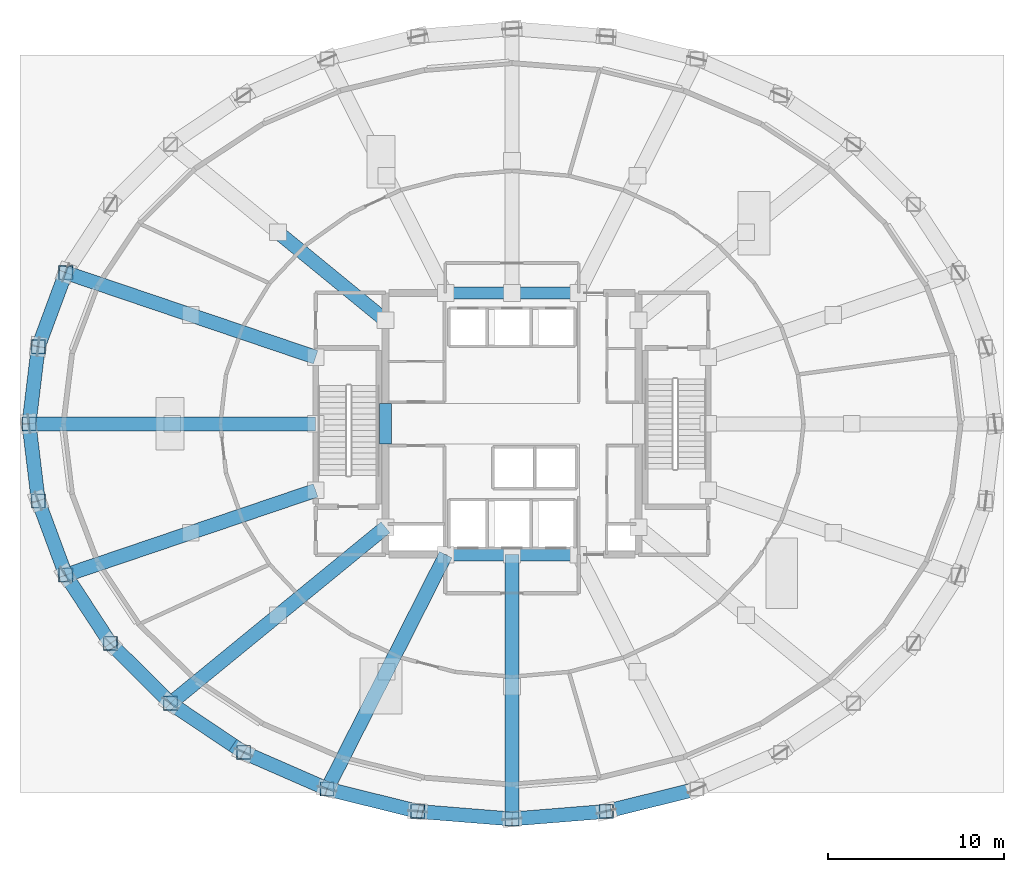
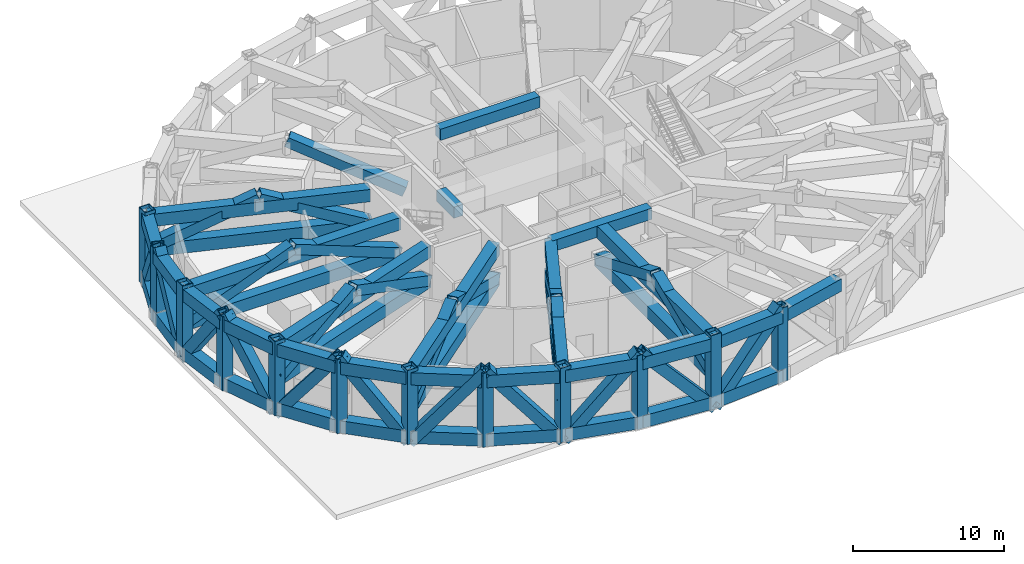
# One storey, part 1 of 12: 38 beams, 36 members.
"""IFC4 building model written with IfcOpenShell, lengths in metres."""

from ifc_helpers import new_model, si_unit, direction, frame, origin, origin_2d, place, context, subcontext, project, spatial, rectangle, hollow_rectangle, extrude, material, material_profile, profile_set, type_object, element, save


model = new_model("IFC4")

# Units and contexts
model_context = context("Model", 3, precision=1e-05, world=origin(), true_north=direction((0.0, 1.0)))
body_context = subcontext(model_context, "Body", "Model", "MODEL_VIEW")
ifc_project = project(units=[si_unit("LENGTHUNIT", "METRE"), si_unit("AREAUNIT", "SQUARE_METRE"), si_unit("VOLUMEUNIT", "CUBIC_METRE"), si_unit("PLANEANGLEUNIT", "RADIAN"), si_unit("MASSUNIT", "GRAM", prefix="KILO")], contexts=[model_context])

# Site, building, storey
site_placement = place(None, origin())
site = spatial("IfcSite", under=ifc_project, at=site_placement, CompositionType="ELEMENT")
building_placement = place(site_placement, origin())
building = spatial("IfcBuilding", under=site, at=building_placement, Name="Veldorina Hangang Commons", CompositionType="ELEMENT")
storey_placement = place(building_placement, frame((0.0, 0.0, 24.39990234375)))
storey = spatial("IfcBuildingStorey", under=building, at=storey_placement, Name="L05", CompositionType="ELEMENT", Elevation=24.39990234375)

# Beams
ifc_material_1 = material(Name="Concrete C70/85", Category="concrete")
ifc_material_profile_1 = material_profile(ifc_material_1, rectangle(XDim=0.699951171875, YDim=0.89990234375, at=origin_2d()), Name="RC-CB-700x900")
ifc_profile_set_1 = profile_set([ifc_material_profile_1], Name="Concrete C70/85")
beam_type_1 = type_object("IfcBeamType", Name="BM-CB900", PredefinedType="LINTEL", material=ifc_profile_set_1)
beam_1_placement = place(storey_placement, frame((24.800048828125, 22.85009765625, 5.2900390625), z_axis=(0.0, 1.0, 0.0), x_axis=(-1.0, 0.0, 0.0)))
element("IfcBeam", 1, at=beam_1_placement, inside=storey, type_object=beam_type_1, Name="L05 W core coupling lintel beam", PredefinedType="LINTEL", context=body_context, shape_type="SweptSolid", body=[
    extrude(rectangle(XDim=0.699951171875, YDim=0.89990234375, at=origin_2d()), origin(), (0.0, 0.0, 1.0), 2.2998046875),
])
for number, where, z_axis, x_axis, name in (
    (2, (28.199951171875, 16.550048828125, 5.2900390625), (1.0, 0.0, 0.0), (0.0, 1.0, 0.0), "L05 south core coupling beam"),
    (3, (28.199951171875, 31.449951171875, 5.2900390625), (1.0, 0.0, 0.0), (0.0, 1.0, 0.0), "L05 north core coupling beam"),
):
    element("IfcBeam", number, at=place(storey_placement, frame(where, z_axis=z_axis, x_axis=x_axis)), inside=storey, type_object=beam_type_1, Name=name, PredefinedType="LINTEL", context=body_context, shape_type="SweptSolid", body=[
        extrude(rectangle(XDim=0.699951171875, YDim=0.89990234375, at=origin_2d()), origin(), (0.0, 0.0, 1.0), 7.60009765625),
    ])
ifc_material_2 = material(Name="Steel SM490-TMC", Category="steel")
ifc_material_profile_2 = material_profile(ifc_material_2, hollow_rectangle(XDim=0.800048828125, YDim=1.0, WallThickness=0.044921875, at=origin_2d()), Name="BOX-1000x800x45")
ifc_profile_set_2 = profile_set([ifc_material_profile_2], Name="Steel SM490-TMC")
beam_type_2 = type_object("IfcBeamType", Name="BM-TRF1000", PredefinedType="BEAM", material=ifc_profile_set_2)
for number, where, z_axis, x_axis, name in (
    (4, (6.59326171875, 32.6103515625, 5.239990234375), (-0.347632274858, -0.937630951642, 0.0), (0.937630951642, -0.347632274858, 0.0), "L05 transfer truss top chord 14"),
    (5, (6.59326171875, 32.6103515625, 0.5), (-0.347632274858, -0.937630951642, 0.0), (0.937630951642, -0.347632274858, 0.0), "L05 transfer truss bottom chord 14"),
):
    element("IfcBeam", number, at=place(storey_placement, frame(where, z_axis=z_axis, x_axis=x_axis)), inside=storey, type_object=beam_type_2, Name=name, PredefinedType="BEAM", context=body_context, shape_type="SweptSolid", body=[
        extrude(hollow_rectangle(XDim=0.800048828125, YDim=1.0, WallThickness=0.044921875, at=origin_2d()), origin(), (0.0, 0.0, 1.0), 4.501708984375),
    ])
for number, where, z_axis, x_axis, name in (
    (6, (5.0283203125, 28.389404296875, 5.239990234375), (-0.119500148591, -0.992834182775, 0.0), (0.992834182775, -0.119500148591, 0.0), "L05 transfer truss top chord 15"),
    (7, (5.0283203125, 28.389404296875, 0.5), (-0.119500148591, -0.992834182775, 0.0), (0.992834182775, -0.119500148591, 0.0), "L05 transfer truss bottom chord 15"),
    (8, (4.5, 24.0, 5.239990234375), (0.119500148591, -0.992834182775, 0.0), (0.992834182775, 0.119500148591, 0.0), "L05 transfer truss top chord 16"),
    (9, (4.5, 24.0, 0.5), (0.119500148591, -0.992834182775, 0.0), (0.992834182775, 0.119500148591, 0.0), "L05 transfer truss bottom chord 16"),
):
    element("IfcBeam", number, at=place(storey_placement, frame(where, z_axis=z_axis, x_axis=x_axis)), inside=storey, type_object=beam_type_2, Name=name, PredefinedType="BEAM", context=body_context, shape_type="SweptSolid", body=[
        extrude(hollow_rectangle(XDim=0.800048828125, YDim=1.0, WallThickness=0.044921875, at=origin_2d()), origin(), (0.0, 0.0, 1.0), 4.421142578125),
    ])
for number, where, z_axis, x_axis, name in (
    (10, (5.0283203125, 19.610595703125, 5.239990234375), (0.347632274858, -0.937630951642, 0.0), (0.937630951642, 0.347632274858, 0.0), "L05 transfer truss top chord 17"),
    (11, (5.0283203125, 19.610595703125, 0.5), (0.347632274858, -0.937630951642, 0.0), (0.937630951642, 0.347632274858, 0.0), "L05 transfer truss bottom chord 17"),
):
    element("IfcBeam", number, at=place(storey_placement, frame(where, z_axis=z_axis, x_axis=x_axis)), inside=storey, type_object=beam_type_2, Name=name, PredefinedType="BEAM", context=body_context, shape_type="SweptSolid", body=[
        extrude(hollow_rectangle(XDim=0.800048828125, YDim=1.0, WallThickness=0.044921875, at=origin_2d()), origin(), (0.0, 0.0, 1.0), 4.501708984375),
    ])
for number, where, z_axis, x_axis, name in (
    (12, (6.59326171875, 15.3896484375, 5.239990234375), (0.546927961762, -0.837179672856, 0.0), (0.837179672856, 0.546927961762, 0.0), "L05 transfer truss top chord 18"),
    (13, (6.59326171875, 15.3896484375, 0.5), (0.546927961762, -0.837179672856, 0.0), (0.837179672856, 0.546927961762, 0.0), "L05 transfer truss bottom chord 18"),
):
    element("IfcBeam", number, at=place(storey_placement, frame(where, z_axis=z_axis, x_axis=x_axis)), inside=storey, type_object=beam_type_2, Name=name, PredefinedType="BEAM", context=body_context, shape_type="SweptSolid", body=[
        extrude(hollow_rectangle(XDim=0.800048828125, YDim=1.0, WallThickness=0.044921875, at=origin_2d()), origin(), (0.0, 0.0, 1.0), 4.646484375),
    ])
for number, where, z_axis, x_axis, name in (
    (14, (9.134521484375, 11.499755859375, 5.239990234375), (0.708192829004, -0.706019062736, 0.0), (0.706019062736, 0.708192829004, 0.0), "L05 transfer truss top chord 19"),
    (15, (9.134521484375, 11.499755859375, 0.5), (0.708192829004, -0.706019062736, 0.0), (0.706019062736, 0.708192829004, 0.0), "L05 transfer truss bottom chord 19"),
):
    element("IfcBeam", number, at=place(storey_placement, frame(where, z_axis=z_axis, x_axis=x_axis)), inside=storey, type_object=beam_type_2, Name=name, PredefinedType="BEAM", context=body_context, shape_type="SweptSolid", body=[
        extrude(hollow_rectangle(XDim=0.800048828125, YDim=1.0, WallThickness=0.044921875, at=origin_2d()), origin(), (0.0, 0.0, 1.0), 4.829345703125),
    ])
for number, where, z_axis, x_axis, name in (
    (16, (12.5546875, 8.090087890625, 5.239990234375), (0.830197333269, -0.557469629517, 0.0), (0.557469629517, 0.830197333269, 0.0), "L05 transfer truss top chord 20"),
    (17, (12.5546875, 8.090087890625, 0.5), (0.830197333269, -0.557469629517, 0.0), (0.557469629517, 0.830197333269, 0.0), "L05 transfer truss bottom chord 20"),
):
    element("IfcBeam", number, at=place(storey_placement, frame(where, z_axis=z_axis, x_axis=x_axis)), inside=storey, type_object=beam_type_2, Name=name, PredefinedType="BEAM", context=body_context, shape_type="SweptSolid", body=[
        extrude(hollow_rectangle(XDim=0.800048828125, YDim=1.0, WallThickness=0.044921875, at=origin_2d()), origin(), (0.0, 0.0, 1.0), 5.019287109375),
    ])
for number, where, z_axis, x_axis, name in (
    (18, (16.7216796875, 5.2919921875, 5.239990234375), (0.916214551617, -0.400688027529, 0.0), (0.400688027529, 0.916214551617, 0.0), "L05 transfer truss top chord 21"),
    (19, (16.7216796875, 5.2919921875, 0.5), (0.916214551617, -0.400688027529, 0.0), (0.400688027529, 0.916214551617, 0.0), "L05 transfer truss bottom chord 21"),
):
    element("IfcBeam", number, at=place(storey_placement, frame(where, z_axis=z_axis, x_axis=x_axis)), inside=storey, type_object=beam_type_2, Name=name, PredefinedType="BEAM", context=body_context, shape_type="SweptSolid", body=[
        extrude(hollow_rectangle(XDim=0.800048828125, YDim=1.0, WallThickness=0.044921875, at=origin_2d()), origin(), (0.0, 0.0, 1.0), 5.189453125),
    ])
for number, where, z_axis, x_axis, name in (
    (20, (21.476318359375, 3.212646484375, 5.239990234375), (0.970557168318, -0.240870884556, 0.0), (0.240870884556, 0.970557168318, 0.0), "L05 transfer truss top chord 22"),
    (21, (21.476318359375, 3.212646484375, 0.5), (0.970557168318, -0.240870884556, 0.0), (0.240870884556, 0.970557168318, 0.0), "L05 transfer truss bottom chord 22"),
):
    element("IfcBeam", number, at=place(storey_placement, frame(where, z_axis=z_axis, x_axis=x_axis)), inside=storey, type_object=beam_type_2, Name=name, PredefinedType="BEAM", context=body_context, shape_type="SweptSolid", body=[
        extrude(hollow_rectangle(XDim=0.800048828125, YDim=1.0, WallThickness=0.044921875, at=origin_2d()), origin(), (0.0, 0.0, 1.0), 5.315185546875),
    ])
for number, where, z_axis, x_axis, name in (
    (22, (26.635009765625, 1.932373046875, 5.239990234375), (0.996768232769, -0.080331128111, 0.0), (0.080331128111, 0.996768232769, 0.0), "L05 transfer truss top chord 23"),
    (23, (26.635009765625, 1.932373046875, 0.5), (0.996768232769, -0.080331128111, 0.0), (0.080331128111, 0.996768232769, 0.0), "L05 transfer truss bottom chord 23"),
    (24, (32.0, 1.5, 5.239990234375), (0.996768232769, 0.080331128111, 0.0), (-0.080331128111, 0.996768232769, 0.0), "L05 transfer truss top chord 24"),
    (25, (32.0, 1.5, 0.5), (0.996768232769, 0.080331128111, 0.0), (-0.080331128111, 0.996768232769, 0.0), "L05 transfer truss bottom chord 24"),
):
    element("IfcBeam", number, at=place(storey_placement, frame(where, z_axis=z_axis, x_axis=x_axis)), inside=storey, type_object=beam_type_2, Name=name, PredefinedType="BEAM", context=body_context, shape_type="SweptSolid", body=[
        extrude(hollow_rectangle(XDim=0.800048828125, YDim=1.0, WallThickness=0.044921875, at=origin_2d()), origin(), (0.0, 0.0, 1.0), 5.38232421875),
    ])
beam_2_placement = place(storey_placement, frame((37.364990234375, 1.932373046875, 5.239990234375), z_axis=(0.970557168318, 0.240870884556, 0.0), x_axis=(-0.240870884556, 0.970557168318, 0.0)))
element("IfcBeam", 26, at=beam_2_placement, inside=storey, type_object=beam_type_2, Name="L05 transfer truss top chord 25", PredefinedType="BEAM", context=body_context, shape_type="SweptSolid", body=[
    extrude(hollow_rectangle(XDim=0.800048828125, YDim=1.0, WallThickness=0.044921875, at=origin_2d()), origin(), (0.0, 0.0, 1.0), 5.315185546875),
])
for number, where, z_axis, x_axis, name in (
    (27, (20.820068359375, 27.788818359375, 5.239990234375), (-0.947088407114, 0.320972816778, 0.0), (-0.320972816778, -0.947088407114, 0.0), "L05 radial transfer top girder 08"),
    (28, (20.820068359375, 27.788818359375, 2.800048828125), (-0.947088407114, 0.320972816778, 0.0), (-0.320972816778, -0.947088407114, 0.0), "L05 radial transfer bottom girder 08"),
):
    element("IfcBeam", number, at=place(storey_placement, frame(where, z_axis=z_axis, x_axis=x_axis)), inside=storey, type_object=beam_type_2, Name=name, PredefinedType="BEAM", context=body_context, shape_type="SweptSolid", body=[
        extrude(hollow_rectangle(XDim=0.800048828125, YDim=1.0, WallThickness=0.044921875, at=origin_2d()), origin(), (0.0, 0.0, 1.0), 15.021728515625),
    ])
for number, where, z_axis, x_axis, name in (
    (29, (20.820068359375, 24.0, 5.239990234375), (-1.0, 0.0, 0.0), (0.0, -1.0, 0.0), "L05 radial transfer top girder 09"),
    (30, (20.820068359375, 24.0, 2.800048828125), (-1.0, 0.0, 0.0), (0.0, -1.0, 0.0), "L05 radial transfer bottom girder 09"),
):
    element("IfcBeam", number, at=place(storey_placement, frame(where, z_axis=z_axis, x_axis=x_axis)), inside=storey, type_object=beam_type_2, Name=name, PredefinedType="BEAM", context=body_context, shape_type="SweptSolid", body=[
        extrude(hollow_rectangle(XDim=0.800048828125, YDim=1.0, WallThickness=0.044921875, at=origin_2d()), origin(), (0.0, 0.0, 1.0), 16.320068359375),
    ])
for number, where, z_axis, x_axis, name in (
    (31, (20.820068359375, 20.211181640625, 5.239990234375), (-0.947088407114, -0.320972816778, 0.0), (0.320972816778, -0.947088407114, 0.0), "L05 radial transfer top girder 10"),
    (32, (20.820068359375, 20.211181640625, 2.800048828125), (-0.947088407114, -0.320972816778, 0.0), (0.320972816778, -0.947088407114, 0.0), "L05 radial transfer bottom girder 10"),
):
    element("IfcBeam", number, at=place(storey_placement, frame(where, z_axis=z_axis, x_axis=x_axis)), inside=storey, type_object=beam_type_2, Name=name, PredefinedType="BEAM", context=body_context, shape_type="SweptSolid", body=[
        extrude(hollow_rectangle(XDim=0.800048828125, YDim=1.0, WallThickness=0.044921875, at=origin_2d()), origin(), (0.0, 0.0, 1.0), 15.021728515625),
    ])
for number, where, z_axis, x_axis, name in (
    (33, (24.800048828125, 18.109130859375, 5.239990234375), (-0.773953861676, -0.633241991656, 0.0), (0.633241991656, -0.773953861676, 0.0), "L05 radial transfer top girder 11"),
    (34, (24.800048828125, 18.109130859375, 2.800048828125), (-0.773953861676, -0.633241991656, 0.0), (0.633241991656, -0.773953861676, 0.0), "L05 radial transfer bottom girder 11"),
):
    element("IfcBeam", number, at=place(storey_placement, frame(where, z_axis=z_axis, x_axis=x_axis)), inside=storey, type_object=beam_type_2, Name=name, PredefinedType="BEAM", context=body_context, shape_type="SweptSolid", body=[
        extrude(hollow_rectangle(XDim=0.800048828125, YDim=1.0, WallThickness=0.044921875, at=origin_2d()), origin(), (0.0, 0.0, 1.0), 15.82177734375),
    ])
for number, where, z_axis, x_axis, name in (
    (35, (28.228515625, 16.550048828125, 5.239990234375), (-0.451676273597, -0.892181900662, 0.0), (0.892181900662, -0.451676273597, 0.0), "L05 radial transfer top girder 12"),
    (36, (28.228515625, 16.550048828125, 2.800048828125), (-0.451676273597, -0.892181900662, 0.0), (0.892181900662, -0.451676273597, 0.0), "L05 radial transfer bottom girder 12"),
):
    element("IfcBeam", number, at=place(storey_placement, frame(where, z_axis=z_axis, x_axis=x_axis)), inside=storey, type_object=beam_type_2, Name=name, PredefinedType="BEAM", context=body_context, shape_type="SweptSolid", body=[
        extrude(hollow_rectangle(XDim=0.800048828125, YDim=1.0, WallThickness=0.044921875, at=origin_2d()), origin(), (0.0, 0.0, 1.0), 14.94921875),
    ])
for number, where, z_axis, x_axis, name in (
    (37, (32.0, 16.550048828125, 5.239990234375), (0.0, -1.0, 0.0), (1.0, 0.0, 0.0), "L05 radial transfer top girder 13"),
    (38, (32.0, 16.550048828125, 2.800048828125), (0.0, -1.0, 0.0), (1.0, 0.0, 0.0), "L05 radial transfer bottom girder 13"),
):
    element("IfcBeam", number, at=place(storey_placement, frame(where, z_axis=z_axis, x_axis=x_axis)), inside=storey, type_object=beam_type_2, Name=name, PredefinedType="BEAM", context=body_context, shape_type="SweptSolid", body=[
        extrude(hollow_rectangle(XDim=0.800048828125, YDim=1.0, WallThickness=0.044921875, at=origin_2d()), origin(), (0.0, 0.0, 1.0), 15.050048828125),
    ])

# Members
ifc_material_profile_3 = material_profile(ifc_material_2, hollow_rectangle(XDim=0.800048828125, YDim=0.800048828125, WallThickness=0.0400390625, at=origin_2d()), Name="BOX-800x800x40")
ifc_profile_set_3 = profile_set([ifc_material_profile_3], Name="Steel SM490-TMC")
member_type = type_object("IfcMemberType", Name="TR-BOX800", PredefinedType="BRACE", material=ifc_profile_set_3)
member_1_placement = place(storey_placement, frame((6.59326171875, 32.6103515625, 0.0), z_axis=(0.0, 0.0, 1.0), x_axis=(1.0, 0.0, 0.0)))
element("IfcMember", 39, at=member_1_placement, inside=storey, type_object=member_type, Name="L05 transfer truss vertical post 14", PredefinedType="BRACE", context=body_context, shape_type="SweptSolid", body=[
    extrude(hollow_rectangle(XDim=0.800048828125, YDim=0.800048828125, WallThickness=0.0400390625, at=origin_2d()), origin(), (0.0, 0.0, 1.0), 6.0),
])
member_2_placement = place(storey_placement, frame((6.59326171875, 32.6103515625, 0.0), z_axis=(-0.208630227568, -0.56271575732, 0.799890245352), x_axis=(0.937630951642, -0.347632274858, 0.0)))
element("IfcMember", 40, at=member_2_placement, inside=storey, type_object=member_type, Name="L05 transfer perimeter diagonal 14", PredefinedType="BRACE", context=body_context, shape_type="SweptSolid", body=[
    extrude(hollow_rectangle(XDim=0.800048828125, YDim=0.800048828125, WallThickness=0.0400390625, at=origin_2d()), origin(), (0.0, 0.0, 1.0), 7.5009765625),
])
member_3_placement = place(storey_placement, frame((5.0283203125, 28.389404296875, 0.0), z_axis=(0.0, 0.0, 1.0), x_axis=(1.0, 0.0, 0.0)))
element("IfcMember", 41, at=member_3_placement, inside=storey, type_object=member_type, Name="L05 transfer truss vertical post 15", PredefinedType="BRACE", context=body_context, shape_type="SweptSolid", body=[
    extrude(hollow_rectangle(XDim=0.800048828125, YDim=0.800048828125, WallThickness=0.0400390625, at=origin_2d()), origin(), (0.0, 0.0, 1.0), 6.0),
])
member_4_placement = place(storey_placement, frame((5.0283203125, 28.389404296875, 6.0), z_axis=(-0.070887709391, -0.58895107539, -0.805053764325), x_axis=(0.992834182775, -0.119500148591, 0.0)))
element("IfcMember", 42, at=member_4_placement, inside=storey, type_object=member_type, Name="L05 transfer perimeter diagonal 15", PredefinedType="BRACE", context=body_context, shape_type="SweptSolid", body=[
    extrude(hollow_rectangle(XDim=0.800048828125, YDim=0.800048828125, WallThickness=0.0400390625, at=origin_2d()), origin(), (0.0, 0.0, 1.0), 7.452880859375),
])
member_5_placement = place(storey_placement, frame((4.5, 24.0, 0.0), z_axis=(0.0, 0.0, 1.0), x_axis=(1.0, 0.0, 0.0)))
element("IfcMember", 43, at=member_5_placement, inside=storey, type_object=member_type, Name="L05 transfer truss vertical post 16", PredefinedType="BRACE", context=body_context, shape_type="SweptSolid", body=[
    extrude(hollow_rectangle(XDim=0.800048828125, YDim=0.800048828125, WallThickness=0.0400390625, at=origin_2d()), origin(), (0.0, 0.0, 1.0), 6.0),
])
member_6_placement = place(storey_placement, frame((4.5, 24.0, 0.0), z_axis=(0.070887709391, -0.58895107539, 0.805053764325), x_axis=(0.992834182775, 0.119500148591, 0.0)))
element("IfcMember", 44, at=member_6_placement, inside=storey, type_object=member_type, Name="L05 transfer perimeter diagonal 16", PredefinedType="BRACE", context=body_context, shape_type="SweptSolid", body=[
    extrude(hollow_rectangle(XDim=0.800048828125, YDim=0.800048828125, WallThickness=0.0400390625, at=origin_2d()), origin(), (0.0, 0.0, 1.0), 7.452880859375),
])
member_7_placement = place(storey_placement, frame((5.0283203125, 19.610595703125, 0.0), z_axis=(0.0, 0.0, 1.0), x_axis=(1.0, 0.0, 0.0)))
element("IfcMember", 45, at=member_7_placement, inside=storey, type_object=member_type, Name="L05 transfer truss vertical post 17", PredefinedType="BRACE", context=body_context, shape_type="SweptSolid", body=[
    extrude(hollow_rectangle(XDim=0.800048828125, YDim=0.800048828125, WallThickness=0.0400390625, at=origin_2d()), origin(), (0.0, 0.0, 1.0), 6.0),
])
member_8_placement = place(storey_placement, frame((5.0283203125, 19.610595703125, 6.0), z_axis=(0.208630227568, -0.56271575732, -0.799890245352), x_axis=(0.937630951642, 0.347632274858, 0.0)))
element("IfcMember", 46, at=member_8_placement, inside=storey, type_object=member_type, Name="L05 transfer perimeter diagonal 17", PredefinedType="BRACE", context=body_context, shape_type="SweptSolid", body=[
    extrude(hollow_rectangle(XDim=0.800048828125, YDim=0.800048828125, WallThickness=0.0400390625, at=origin_2d()), origin(), (0.0, 0.0, 1.0), 7.5009765625),
])
member_9_placement = place(storey_placement, frame((6.59326171875, 15.3896484375, 0.0), z_axis=(0.0, 0.0, 1.0), x_axis=(1.0, 0.0, 0.0)))
element("IfcMember", 47, at=member_9_placement, inside=storey, type_object=member_type, Name="L05 transfer truss vertical post 18", PredefinedType="BRACE", context=body_context, shape_type="SweptSolid", body=[
    extrude(hollow_rectangle(XDim=0.800048828125, YDim=0.800048828125, WallThickness=0.0400390625, at=origin_2d()), origin(), (0.0, 0.0, 1.0), 6.0),
])
member_10_placement = place(storey_placement, frame((6.59326171875, 15.3896484375, 0.0), z_axis=(0.334871579761, -0.512586115893, 0.790643091959), x_axis=(0.837179672856, 0.546927961762, 0.0)))
element("IfcMember", 48, at=member_10_placement, inside=storey, type_object=member_type, Name="L05 transfer perimeter diagonal 18", PredefinedType="BRACE", context=body_context, shape_type="SweptSolid", body=[
    extrude(hollow_rectangle(XDim=0.800048828125, YDim=0.800048828125, WallThickness=0.0400390625, at=origin_2d()), origin(), (0.0, 0.0, 1.0), 7.5888671875),
])
member_11_placement = place(storey_placement, frame((9.134521484375, 11.499755859375, 0.0), z_axis=(0.0, 0.0, 1.0), x_axis=(1.0, 0.0, 0.0)))
element("IfcMember", 49, at=member_11_placement, inside=storey, type_object=member_type, Name="L05 transfer truss vertical post 19", PredefinedType="BRACE", context=body_context, shape_type="SweptSolid", body=[
    extrude(hollow_rectangle(XDim=0.800048828125, YDim=0.800048828125, WallThickness=0.0400390625, at=origin_2d()), origin(), (0.0, 0.0, 1.0), 6.0),
])
member_12_placement = place(storey_placement, frame((9.134521484375, 11.499755859375, 6.0), z_axis=(0.444052455287, -0.442689456102, -0.779001580493), x_axis=(0.706019062736, 0.708192829004, 0.0)))
element("IfcMember", 50, at=member_12_placement, inside=storey, type_object=member_type, Name="L05 transfer perimeter diagonal 19", PredefinedType="BRACE", context=body_context, shape_type="SweptSolid", body=[
    extrude(hollow_rectangle(XDim=0.800048828125, YDim=0.800048828125, WallThickness=0.0400390625, at=origin_2d()), origin(), (0.0, 0.0, 1.0), 7.7021484375),
])
member_13_placement = place(storey_placement, frame((12.5546875, 8.090087890625, 0.0), z_axis=(0.0, 0.0, 1.0), x_axis=(1.0, 0.0, 0.0)))
element("IfcMember", 51, at=member_13_placement, inside=storey, type_object=member_type, Name="L05 transfer truss vertical post 20", PredefinedType="BRACE", context=body_context, shape_type="SweptSolid", body=[
    extrude(hollow_rectangle(XDim=0.800048828125, YDim=0.800048828125, WallThickness=0.0400390625, at=origin_2d()), origin(), (0.0, 0.0, 1.0), 6.0),
])
member_14_placement = place(storey_placement, frame((12.5546875, 8.090087890625, 0.0), z_axis=(0.532685939643, -0.35769355251, 0.767007830599), x_axis=(0.557469629517, 0.830197333269, 0.0)))
element("IfcMember", 52, at=member_14_placement, inside=storey, type_object=member_type, Name="L05 transfer perimeter diagonal 20", PredefinedType="BRACE", context=body_context, shape_type="SweptSolid", body=[
    extrude(hollow_rectangle(XDim=0.800048828125, YDim=0.800048828125, WallThickness=0.0400390625, at=origin_2d()), origin(), (0.0, 0.0, 1.0), 7.822509765625),
])
member_15_placement = place(storey_placement, frame((16.7216796875, 5.2919921875, 0.0), z_axis=(0.0, 0.0, 1.0), x_axis=(1.0, 0.0, 0.0)))
element("IfcMember", 53, at=member_15_placement, inside=storey, type_object=member_type, Name="L05 transfer truss vertical post 21", PredefinedType="BRACE", context=body_context, shape_type="SweptSolid", body=[
    extrude(hollow_rectangle(XDim=0.800048828125, YDim=0.800048828125, WallThickness=0.0400390625, at=origin_2d()), origin(), (0.0, 0.0, 1.0), 6.0),
])
member_16_placement = place(storey_placement, frame((16.7216796875, 5.2919921875, 6.0), z_axis=(0.599359964024, -0.262118039209, -0.756347649594), x_axis=(0.400688027529, 0.916214551617, 0.0)))
element("IfcMember", 54, at=member_16_placement, inside=storey, type_object=member_type, Name="L05 transfer perimeter diagonal 21", PredefinedType="BRACE", context=body_context, shape_type="SweptSolid", body=[
    extrude(hollow_rectangle(XDim=0.800048828125, YDim=0.800048828125, WallThickness=0.0400390625, at=origin_2d()), origin(), (0.0, 0.0, 1.0), 7.932861328125),
])
member_17_placement = place(storey_placement, frame((21.476318359375, 3.212646484375, 0.0), z_axis=(0.0, 0.0, 1.0), x_axis=(1.0, 0.0, 0.0)))
element("IfcMember", 55, at=member_17_placement, inside=storey, type_object=member_type, Name="L05 transfer truss vertical post 22", PredefinedType="BRACE", context=body_context, shape_type="SweptSolid", body=[
    extrude(hollow_rectangle(XDim=0.800048828125, YDim=0.800048828125, WallThickness=0.0400390625, at=origin_2d()), origin(), (0.0, 0.0, 1.0), 6.0),
])
member_18_placement = place(storey_placement, frame((21.476318359375, 3.212646484375, 0.0), z_axis=(0.643574661969, -0.159721037736, 0.748532460603), x_axis=(0.240870884556, 0.970557168318, 0.0)))
element("IfcMember", 56, at=member_18_placement, inside=storey, type_object=member_type, Name="L05 transfer perimeter diagonal 22", PredefinedType="BRACE", context=body_context, shape_type="SweptSolid", body=[
    extrude(hollow_rectangle(XDim=0.800048828125, YDim=0.800048828125, WallThickness=0.0400390625, at=origin_2d()), origin(), (0.0, 0.0, 1.0), 8.015625),
])
member_19_placement = place(storey_placement, frame((26.635009765625, 1.932373046875, 0.0), z_axis=(0.0, 0.0, 1.0), x_axis=(1.0, 0.0, 0.0)))
element("IfcMember", 57, at=member_19_placement, inside=storey, type_object=member_type, Name="L05 transfer truss vertical post 23", PredefinedType="BRACE", context=body_context, shape_type="SweptSolid", body=[
    extrude(hollow_rectangle(XDim=0.800048828125, YDim=0.800048828125, WallThickness=0.0400390625, at=origin_2d()), origin(), (0.0, 0.0, 1.0), 6.0),
])
member_20_placement = place(storey_placement, frame((26.635009765625, 1.932373046875, 6.0), z_axis=(0.665598415745, -0.053641628864, -0.744379825499), x_axis=(0.080331128111, 0.996768232769, 0.0)))
element("IfcMember", 58, at=member_20_placement, inside=storey, type_object=member_type, Name="L05 transfer perimeter diagonal 23", PredefinedType="BRACE", context=body_context, shape_type="SweptSolid", body=[
    extrude(hollow_rectangle(XDim=0.800048828125, YDim=0.800048828125, WallThickness=0.0400390625, at=origin_2d()), origin(), (0.0, 0.0, 1.0), 8.060302734375),
])
member_21_placement = place(storey_placement, frame((32.0, 1.5, 0.0), z_axis=(0.0, 0.0, 1.0), x_axis=(1.0, 0.0, 0.0)))
element("IfcMember", 59, at=member_21_placement, inside=storey, type_object=member_type, Name="L05 transfer truss vertical post 24", PredefinedType="BRACE", context=body_context, shape_type="SweptSolid", body=[
    extrude(hollow_rectangle(XDim=0.800048828125, YDim=0.800048828125, WallThickness=0.0400390625, at=origin_2d()), origin(), (0.0, 0.0, 1.0), 6.0),
])
member_22_placement = place(storey_placement, frame((32.0, 1.5, 0.0), z_axis=(0.665598415745, 0.053641628864, 0.744379825499), x_axis=(-0.080331128111, 0.996768232769, 0.0)))
element("IfcMember", 60, at=member_22_placement, inside=storey, type_object=member_type, Name="L05 transfer perimeter diagonal 24", PredefinedType="BRACE", context=body_context, shape_type="SweptSolid", body=[
    extrude(hollow_rectangle(XDim=0.800048828125, YDim=0.800048828125, WallThickness=0.0400390625, at=origin_2d()), origin(), (0.0, 0.0, 1.0), 8.060302734375),
])
member_23_placement = place(storey_placement, frame((37.364990234375, 1.932373046875, 0.0), z_axis=(0.0, 0.0, 1.0), x_axis=(1.0, 0.0, 0.0)))
element("IfcMember", 61, at=member_23_placement, inside=storey, type_object=member_type, Name="L05 transfer truss vertical post 25", PredefinedType="BRACE", context=body_context, shape_type="SweptSolid", body=[
    extrude(hollow_rectangle(XDim=0.800048828125, YDim=0.800048828125, WallThickness=0.0400390625, at=origin_2d()), origin(), (0.0, 0.0, 1.0), 6.0),
])
member_24_placement = place(storey_placement, frame((24.800048828125, 29.890869140625, 2.85009765625), z_axis=(-0.719057437681, 0.588314508704, 0.36992220826), x_axis=(-0.633234429165, -0.773960049176, 0.0)))
element("IfcMember", 62, at=member_24_placement, inside=storey, type_object=member_type, Name="L05 radial transfer inner web brace 07", PredefinedType="BRACE", context=body_context, shape_type="SweptSolid", body=[
    extrude(hollow_rectangle(XDim=0.800048828125, YDim=0.800048828125, WallThickness=0.0400390625, at=origin_2d()), origin(), (0.0, 0.0, 1.0), 8.51513671875),
])
member_25_placement = place(storey_placement, frame((20.820068359375, 27.788818359375, 2.85009765625), z_axis=(-0.873390710369, 0.296006221124, 0.386741495184), x_axis=(-0.320982454147, -0.947085140909, 0.0)))
element("IfcMember", 63, at=member_25_placement, inside=storey, type_object=member_type, Name="L05 radial transfer inner web brace 08", PredefinedType="BRACE", context=body_context, shape_type="SweptSolid", body=[
    extrude(hollow_rectangle(XDim=0.800048828125, YDim=0.800048828125, WallThickness=0.0400390625, at=origin_2d()), origin(), (0.0, 0.0, 1.0), 8.144775390625),
])
member_26_placement = place(storey_placement, frame((13.70654296875, 30.19970703125, 6.0), z_axis=(-0.873391349829, 0.295986620957, -0.386755052014), x_axis=(-0.320963178978, -0.947091673356, 0.0)))
element("IfcMember", 64, at=member_26_placement, inside=storey, type_object=member_type, Name="L05 radial transfer outer web brace 08", PredefinedType="BRACE", context=body_context, shape_type="SweptSolid", body=[
    extrude(hollow_rectangle(XDim=0.800048828125, YDim=0.800048828125, WallThickness=0.0400390625, at=origin_2d()), origin(), (0.0, 0.0, 1.0), 8.14453125),
])
member_27_placement = place(storey_placement, frame((20.820068359375, 24.0, 2.85009765625), z_axis=(-0.932908982986, 0.0, 0.360112245646), x_axis=(0.0, -1.0, 0.0)))
element("IfcMember", 65, at=member_27_placement, inside=storey, type_object=member_type, Name="L05 radial transfer inner web brace 09", PredefinedType="BRACE", context=body_context, shape_type="SweptSolid", body=[
    extrude(hollow_rectangle(XDim=0.800048828125, YDim=0.800048828125, WallThickness=0.0400390625, at=origin_2d()), origin(), (0.0, 0.0, 1.0), 8.7470703125),
])
member_28_placement = place(storey_placement, frame((12.659912109375, 24.0, 6.0), z_axis=(-0.932905363277, 0.0, -0.360121622745), x_axis=(0.0, -1.0, 0.0)))
element("IfcMember", 66, at=member_28_placement, inside=storey, type_object=member_type, Name="L05 radial transfer outer web brace 09", PredefinedType="BRACE", context=body_context, shape_type="SweptSolid", body=[
    extrude(hollow_rectangle(XDim=0.800048828125, YDim=0.800048828125, WallThickness=0.0400390625, at=origin_2d()), origin(), (0.0, 0.0, 1.0), 8.746826171875),
])
member_29_placement = place(storey_placement, frame((20.820068359375, 20.211181640625, 2.85009765625), z_axis=(-0.873390710369, -0.296006221124, 0.386741495184), x_axis=(0.320982454147, -0.947085140909, 0.0)))
element("IfcMember", 67, at=member_29_placement, inside=storey, type_object=member_type, Name="L05 radial transfer inner web brace 10", PredefinedType="BRACE", context=body_context, shape_type="SweptSolid", body=[
    extrude(hollow_rectangle(XDim=0.800048828125, YDim=0.800048828125, WallThickness=0.0400390625, at=origin_2d()), origin(), (0.0, 0.0, 1.0), 8.144775390625),
])
member_30_placement = place(storey_placement, frame((13.70654296875, 17.80029296875, 6.0), z_axis=(-0.873391349829, -0.295986620957, -0.386755052014), x_axis=(0.320963178978, -0.947091673356, 0.0)))
element("IfcMember", 68, at=member_30_placement, inside=storey, type_object=member_type, Name="L05 radial transfer outer web brace 10", PredefinedType="BRACE", context=body_context, shape_type="SweptSolid", body=[
    extrude(hollow_rectangle(XDim=0.800048828125, YDim=0.800048828125, WallThickness=0.0400390625, at=origin_2d()), origin(), (0.0, 0.0, 1.0), 8.14453125),
])
member_31_placement = place(storey_placement, frame((24.800048828125, 18.109130859375, 2.85009765625), z_axis=(-0.719057437681, -0.588314508704, 0.36992220826), x_axis=(0.633234429165, -0.773960049176, 0.0)))
element("IfcMember", 69, at=member_31_placement, inside=storey, type_object=member_type, Name="L05 radial transfer inner web brace 11", PredefinedType="BRACE", context=body_context, shape_type="SweptSolid", body=[
    extrude(hollow_rectangle(XDim=0.800048828125, YDim=0.800048828125, WallThickness=0.0400390625, at=origin_2d()), origin(), (0.0, 0.0, 1.0), 8.51513671875),
])
member_32_placement = place(storey_placement, frame((18.67724609375, 13.099609375, 6.0), z_axis=(-0.719043590074, -0.588326637879, -0.369929834881), x_axis=(0.633249554266, -0.773947673956, 0.0)))
element("IfcMember", 70, at=member_32_placement, inside=storey, type_object=member_type, Name="L05 radial transfer outer web brace 11", PredefinedType="BRACE", context=body_context, shape_type="SweptSolid", body=[
    extrude(hollow_rectangle(XDim=0.800048828125, YDim=0.800048828125, WallThickness=0.0400390625, at=origin_2d()), origin(), (0.0, 0.0, 1.0), 8.514892578125),
])
member_33_placement = place(storey_placement, frame((28.228515625, 16.550048828125, 2.85009765625), z_axis=(-0.416239419568, -0.82215487349, 0.388337623202), x_axis=(0.892175319449, -0.451689273025, 0.0)))
element("IfcMember", 71, at=member_33_placement, inside=storey, type_object=member_type, Name="L05 radial transfer inner web brace 12", PredefinedType="BRACE", context=body_context, shape_type="SweptSolid", body=[
    extrude(hollow_rectangle(XDim=0.800048828125, YDim=0.800048828125, WallThickness=0.0400390625, at=origin_2d()), origin(), (0.0, 0.0, 1.0), 8.111328125),
])
member_34_placement = place(storey_placement, frame((24.852294921875, 9.88134765625, 6.0), z_axis=(-0.416214534889, -0.822165173597, -0.388342488367), x_axis=(0.892188481783, -0.451663273882, 0.0)))
element("IfcMember", 72, at=member_34_placement, inside=storey, type_object=member_type, Name="L05 radial transfer outer web brace 12", PredefinedType="BRACE", context=body_context, shape_type="SweptSolid", body=[
    extrude(hollow_rectangle(XDim=0.800048828125, YDim=0.800048828125, WallThickness=0.0400390625, at=origin_2d()), origin(), (0.0, 0.0, 1.0), 8.111083984375),
])
member_35_placement = place(storey_placement, frame((32.0, 16.550048828125, 2.85009765625), z_axis=(0.0, -0.922447929404, 0.386121506186), x_axis=(1.0, 0.0, 0.0)))
element("IfcMember", 73, at=member_35_placement, inside=storey, type_object=member_type, Name="L05 radial transfer inner web brace 13", PredefinedType="BRACE", context=body_context, shape_type="SweptSolid", body=[
    extrude(hollow_rectangle(XDim=0.800048828125, YDim=0.800048828125, WallThickness=0.0400390625, at=origin_2d()), origin(), (0.0, 0.0, 1.0), 8.15771484375),
])
member_36_placement = place(storey_placement, frame((32.0, 9.02490234375, 6.0), z_axis=(0.0, -0.922443467369, -0.386132165855), x_axis=(1.0, 0.0, 0.0)))
element("IfcMember", 74, at=member_36_placement, inside=storey, type_object=member_type, Name="L05 radial transfer outer web brace 13", PredefinedType="BRACE", context=body_context, shape_type="SweptSolid", body=[
    extrude(hollow_rectangle(XDim=0.800048828125, YDim=0.800048828125, WallThickness=0.0400390625, at=origin_2d()), origin(), (0.0, 0.0, 1.0), 8.157470703125),
])

save(model, "model.ifc")
